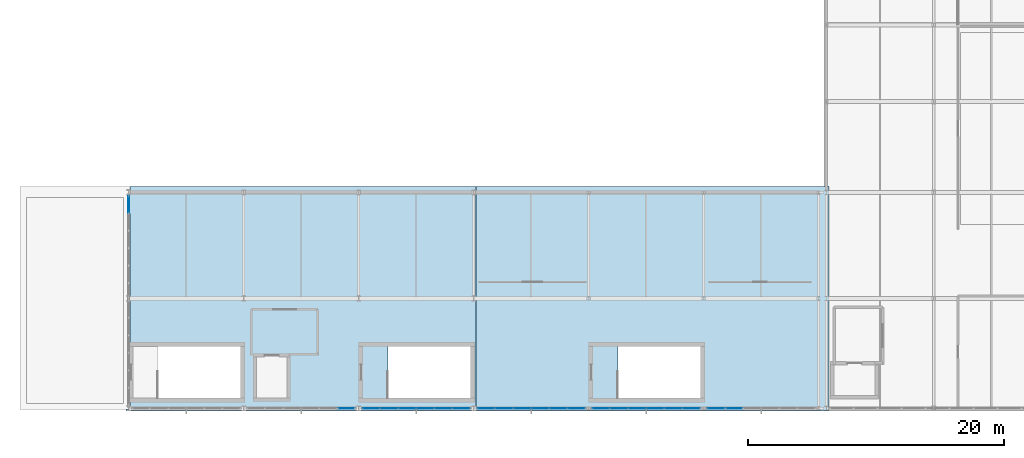
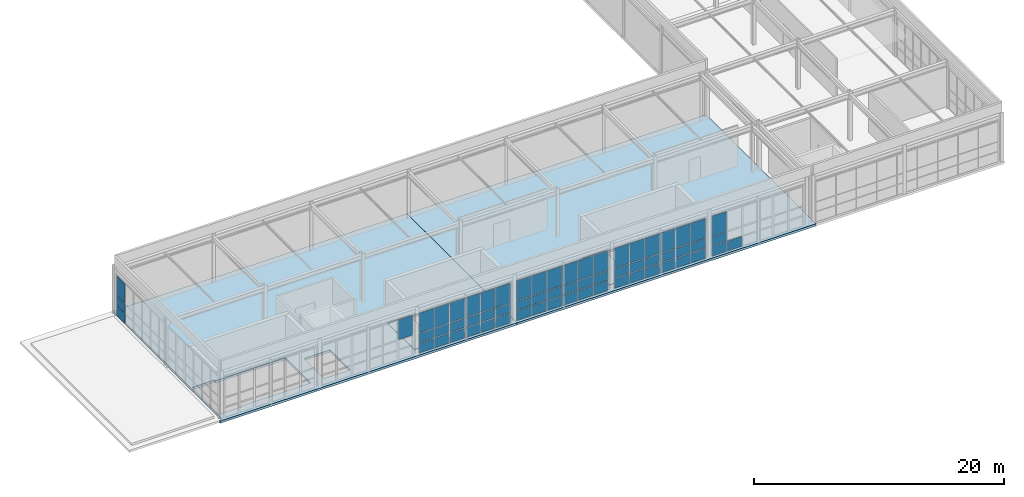
# One storey, part 30 of 38: 62 plates, 4 slabs, 6 elements without a shape of their own.
"""IFC4 building model written with IfcOpenShell, lengths in metres."""

from ifc_helpers import new_model, si_unit, direction, frame, origin, origin_2d, place, context, subcontext, project, spatial, polyline, rectangle, outline, extrude, material, layer, layer_set, type_object, element, aggregate, save


model = new_model("IFC4")

# Units and contexts
model_context = context("Model", 3, precision=1e-05, world=origin(), true_north=direction((0.0, 1.0)))
body_context = subcontext(model_context, "Body", "Model", "MODEL_VIEW")
ifc_project = project(units=[si_unit("LENGTHUNIT", "METRE"), si_unit("AREAUNIT", "SQUARE_METRE"), si_unit("VOLUMEUNIT", "CUBIC_METRE"), si_unit("PLANEANGLEUNIT", "RADIAN"), si_unit("MASSUNIT", "GRAM", prefix="KILO")], contexts=[model_context])

# Site, building, storey
site_placement = place(None, origin())
site = spatial("IfcSite", under=ifc_project, at=site_placement, CompositionType="ELEMENT")
building_placement = place(site_placement, origin())
building = spatial("IfcBuilding", under=site, at=building_placement, Name="Kaldris Quays Convention Centre", CompositionType="ELEMENT")
storey_placement = place(building_placement, frame((0.0, 0.0, 21.60009765625)))
storey = spatial("IfcBuildingStorey", under=building, at=storey_placement, Name="L04", CompositionType="ELEMENT", Elevation=21.60009765625)

# Curtain wall, plate
ifc_material_1 = material(Name="Anodized aluminium AW-6060 and triple glazing", Category="aluminium")
curtain_wall_type = type_object("IfcCurtainWallType", Name="UNITISED CURTAIN WALL CW04", PredefinedType="NOTDEFINED", material=ifc_material_1)
curtain_wall_1_placement = place(storey_placement, origin())
curtain_wall_1 = element("IfcCurtainWall", 1, at=curtain_wall_1_placement, inside=storey, type_object=curtain_wall_type, Name="L04 Unitised Curtain Wall CW04 130", PredefinedType="NOTDEFINED")
ifc_material_2 = material(Name="Triple low-E insulated glazing", Category="glass")
plate_type_1 = type_object("IfcPlateType", Name="CURTAIN GLAZING PANEL CWP2", PredefinedType="CURTAIN_PANEL", material=ifc_material_2)
plate_1_placement = place(storey_placement, frame((109.026611328125, 38.0, 2.02978515625), z_axis=(0.0, 0.0, 1.0), x_axis=(1.0, 0.0, 0.0)))
plate_1 = element("IfcPlate", 2, at=plate_1_placement, type_object=plate_type_1, Name="CW04 panel 6.3", PredefinedType="CURTAIN_PANEL", context=body_context, shape_type="SweptSolid", body=[
    extrude(rectangle(XDim=1.32666015625, YDim=0.033935546875, at=origin_2d()), origin(), (0.0, 0.0, 1.0), 1.909912109375),
])
aggregate(curtain_wall_1, [plate_1])

# Curtain wall, plates
curtain_wall_2_placement = place(storey_placement, origin())
curtain_wall_2 = element("IfcCurtainWall", 3, at=curtain_wall_2_placement, inside=storey, type_object=curtain_wall_type, Name="L04 Unitised Curtain Wall CW04 131", PredefinedType="NOTDEFINED")
plate_type_2 = type_object("IfcPlateType", Name="CURTAIN GLAZING PANEL CWP3", PredefinedType="CURTAIN_PANEL", material=ifc_material_2)
plate_2_placement = place(storey_placement, frame((110.973388671875, 38.0, 0.059814453125), z_axis=(0.0, 0.0, 1.0), x_axis=(1.0, 0.0, 0.0)))
plate_2 = element("IfcPlate", 4, at=plate_2_placement, type_object=plate_type_2, Name="CW04 panel 1.1", PredefinedType="CURTAIN_PANEL", context=body_context, shape_type="SweptSolid", body=[
    extrude(rectangle(XDim=1.32666015625, YDim=0.0390625, at=origin_2d()), origin(), (0.0, 0.0, 1.0), 0.9599609375),
])
plate_3_placement = place(storey_placement, frame((110.973388671875, 38.0, 1.080078125), z_axis=(0.0, 0.0, 1.0), x_axis=(1.0, 0.0, 0.0)))
plate_3 = element("IfcPlate", 5, at=plate_3_placement, type_object=plate_type_2, Name="CW04 panel 1.2", PredefinedType="CURTAIN_PANEL", context=body_context, shape_type="SweptSolid", body=[
    extrude(rectangle(XDim=1.32666015625, YDim=0.0390625, at=origin_2d()), origin(), (0.0, 0.0, 1.0), 0.889892578125),
])
plate_4_placement = place(storey_placement, frame((110.973388671875, 38.0, 2.02978515625), z_axis=(0.0, 0.0, 1.0), x_axis=(1.0, 0.0, 0.0)))
plate_4 = element("IfcPlate", 6, at=plate_4_placement, type_object=plate_type_2, Name="CW04 panel 1.3", PredefinedType="CURTAIN_PANEL", context=body_context, shape_type="SweptSolid", body=[
    extrude(rectangle(XDim=1.32666015625, YDim=0.0390625, at=origin_2d()), origin(), (0.0, 0.0, 1.0), 1.909912109375),
])
plate_5_placement = place(storey_placement, frame((112.375, 38.0, 0.059814453125), z_axis=(0.0, 0.0, 1.0), x_axis=(1.0, 0.0, 0.0)))
plate_5 = element("IfcPlate", 7, at=plate_5_placement, type_object=plate_type_2, Name="CW04 panel 2.1", PredefinedType="CURTAIN_PANEL", context=body_context, shape_type="SweptSolid", body=[
    extrude(rectangle(XDim=1.356689453125, YDim=0.0390625, at=origin_2d()), origin(), (0.0, 0.0, 1.0), 0.9599609375),
])
plate_6_placement = place(storey_placement, frame((112.375, 38.0, 1.080078125), z_axis=(0.0, 0.0, 1.0), x_axis=(1.0, 0.0, 0.0)))
plate_6 = element("IfcPlate", 8, at=plate_6_placement, type_object=plate_type_2, Name="CW04 panel 2.2", PredefinedType="CURTAIN_PANEL", context=body_context, shape_type="SweptSolid", body=[
    extrude(rectangle(XDim=1.356689453125, YDim=0.0390625, at=origin_2d()), origin(), (0.0, 0.0, 1.0), 0.889892578125),
])
plate_7_placement = place(storey_placement, frame((112.375, 38.0, 2.02978515625), z_axis=(0.0, 0.0, 1.0), x_axis=(1.0, 0.0, 0.0)))
plate_7 = element("IfcPlate", 9, at=plate_7_placement, type_object=plate_type_2, Name="CW04 panel 2.3", PredefinedType="CURTAIN_PANEL", context=body_context, shape_type="SweptSolid", body=[
    extrude(rectangle(XDim=1.356689453125, YDim=0.0390625, at=origin_2d()), origin(), (0.0, 0.0, 1.0), 1.909912109375),
])
plate_8_placement = place(storey_placement, frame((113.791748046875, 38.0, 0.059814453125), z_axis=(0.0, 0.0, 1.0), x_axis=(1.0, 0.0, 0.0)))
plate_8 = element("IfcPlate", 10, at=plate_8_placement, type_object=plate_type_2, Name="CW04 panel 3.1", PredefinedType="CURTAIN_PANEL", context=body_context, shape_type="SweptSolid", body=[
    extrude(rectangle(XDim=1.356689453125, YDim=0.0390625, at=origin_2d()), origin(), (0.0, 0.0, 1.0), 0.9599609375),
])
plate_9_placement = place(storey_placement, frame((113.791748046875, 38.0, 1.080078125), z_axis=(0.0, 0.0, 1.0), x_axis=(1.0, 0.0, 0.0)))
plate_9 = element("IfcPlate", 11, at=plate_9_placement, type_object=plate_type_2, Name="CW04 panel 3.2", PredefinedType="CURTAIN_PANEL", context=body_context, shape_type="SweptSolid", body=[
    extrude(rectangle(XDim=1.356689453125, YDim=0.0390625, at=origin_2d()), origin(), (0.0, 0.0, 1.0), 0.889892578125),
])
plate_10_placement = place(storey_placement, frame((113.791748046875, 38.0, 2.02978515625), z_axis=(0.0, 0.0, 1.0), x_axis=(1.0, 0.0, 0.0)))
plate_10 = element("IfcPlate", 12, at=plate_10_placement, type_object=plate_type_2, Name="CW04 panel 3.3", PredefinedType="CURTAIN_PANEL", context=body_context, shape_type="SweptSolid", body=[
    extrude(rectangle(XDim=1.356689453125, YDim=0.0390625, at=origin_2d()), origin(), (0.0, 0.0, 1.0), 1.909912109375),
])
plate_11_placement = place(storey_placement, frame((115.208251953125, 38.0, 0.059814453125), z_axis=(0.0, 0.0, 1.0), x_axis=(1.0, 0.0, 0.0)))
plate_11 = element("IfcPlate", 13, at=plate_11_placement, type_object=plate_type_2, Name="CW04 panel 4.1", PredefinedType="CURTAIN_PANEL", context=body_context, shape_type="SweptSolid", body=[
    extrude(rectangle(XDim=1.356689453125, YDim=0.0390625, at=origin_2d()), origin(), (0.0, 0.0, 1.0), 0.9599609375),
])
plate_12_placement = place(storey_placement, frame((115.208251953125, 38.0, 1.080078125), z_axis=(0.0, 0.0, 1.0), x_axis=(1.0, 0.0, 0.0)))
plate_12 = element("IfcPlate", 14, at=plate_12_placement, type_object=plate_type_2, Name="CW04 panel 4.2", PredefinedType="CURTAIN_PANEL", context=body_context, shape_type="SweptSolid", body=[
    extrude(rectangle(XDim=1.356689453125, YDim=0.0390625, at=origin_2d()), origin(), (0.0, 0.0, 1.0), 0.889892578125),
])
plate_13_placement = place(storey_placement, frame((115.208251953125, 38.0, 2.02978515625), z_axis=(0.0, 0.0, 1.0), x_axis=(1.0, 0.0, 0.0)))
plate_13 = element("IfcPlate", 15, at=plate_13_placement, type_object=plate_type_2, Name="CW04 panel 4.3", PredefinedType="CURTAIN_PANEL", context=body_context, shape_type="SweptSolid", body=[
    extrude(rectangle(XDim=1.356689453125, YDim=0.0390625, at=origin_2d()), origin(), (0.0, 0.0, 1.0), 1.909912109375),
])
plate_14_placement = place(storey_placement, frame((116.625, 38.0, 0.059814453125), z_axis=(0.0, 0.0, 1.0), x_axis=(1.0, 0.0, 0.0)))
plate_14 = element("IfcPlate", 16, at=plate_14_placement, type_object=plate_type_2, Name="CW04 panel 5.1", PredefinedType="CURTAIN_PANEL", context=body_context, shape_type="SweptSolid", body=[
    extrude(rectangle(XDim=1.356689453125, YDim=0.0390625, at=origin_2d()), origin(), (0.0, 0.0, 1.0), 0.9599609375),
])
plate_15_placement = place(storey_placement, frame((116.625, 38.0, 1.080078125), z_axis=(0.0, 0.0, 1.0), x_axis=(1.0, 0.0, 0.0)))
plate_15 = element("IfcPlate", 17, at=plate_15_placement, type_object=plate_type_2, Name="CW04 panel 5.2", PredefinedType="CURTAIN_PANEL", context=body_context, shape_type="SweptSolid", body=[
    extrude(rectangle(XDim=1.356689453125, YDim=0.0390625, at=origin_2d()), origin(), (0.0, 0.0, 1.0), 0.889892578125),
])
plate_16_placement = place(storey_placement, frame((116.625, 38.0, 2.02978515625), z_axis=(0.0, 0.0, 1.0), x_axis=(1.0, 0.0, 0.0)))
plate_16 = element("IfcPlate", 18, at=plate_16_placement, type_object=plate_type_2, Name="CW04 panel 5.3", PredefinedType="CURTAIN_PANEL", context=body_context, shape_type="SweptSolid", body=[
    extrude(rectangle(XDim=1.356689453125, YDim=0.0390625, at=origin_2d()), origin(), (0.0, 0.0, 1.0), 1.909912109375),
])
plate_17_placement = place(storey_placement, frame((118.026611328125, 38.0, 0.059814453125), z_axis=(0.0, 0.0, 1.0), x_axis=(1.0, 0.0, 0.0)))
plate_17 = element("IfcPlate", 19, at=plate_17_placement, type_object=plate_type_2, Name="CW04 panel 6.1", PredefinedType="CURTAIN_PANEL", context=body_context, shape_type="SweptSolid", body=[
    extrude(rectangle(XDim=1.32666015625, YDim=0.0390625, at=origin_2d()), origin(), (0.0, 0.0, 1.0), 0.9599609375),
])
plate_18_placement = place(storey_placement, frame((118.026611328125, 38.0, 1.080078125), z_axis=(0.0, 0.0, 1.0), x_axis=(1.0, 0.0, 0.0)))
plate_18 = element("IfcPlate", 20, at=plate_18_placement, type_object=plate_type_2, Name="CW04 panel 6.2", PredefinedType="CURTAIN_PANEL", context=body_context, shape_type="SweptSolid", body=[
    extrude(rectangle(XDim=1.32666015625, YDim=0.0390625, at=origin_2d()), origin(), (0.0, 0.0, 1.0), 0.889892578125),
])
plate_19_placement = place(storey_placement, frame((118.026611328125, 38.0, 2.02978515625), z_axis=(0.0, 0.0, 1.0), x_axis=(1.0, 0.0, 0.0)))
plate_19 = element("IfcPlate", 21, at=plate_19_placement, type_object=plate_type_2, Name="CW04 panel 6.3", PredefinedType="CURTAIN_PANEL", context=body_context, shape_type="SweptSolid", body=[
    extrude(rectangle(XDim=1.32666015625, YDim=0.0390625, at=origin_2d()), origin(), (0.0, 0.0, 1.0), 1.909912109375),
])
aggregate(curtain_wall_2, [plate_2, plate_3, plate_4, plate_5, plate_6, plate_7, plate_8, plate_9, plate_10, plate_11, plate_12, plate_13, plate_14, plate_15, plate_16, plate_17, plate_18, plate_19])

curtain_wall_3_placement = place(storey_placement, origin())
curtain_wall_3 = element("IfcCurtainWall", 22, at=curtain_wall_3_placement, inside=storey, type_object=curtain_wall_type, Name="L04 Unitised Curtain Wall CW04 132", PredefinedType="NOTDEFINED")
plate_type_3 = type_object("IfcPlateType", Name="CURTAIN GLAZING PANEL CWP4", PredefinedType="CURTAIN_PANEL", material=ifc_material_2)
plate_20_placement = place(storey_placement, frame((119.973388671875, 38.0, 0.059814453125), z_axis=(0.0, 0.0, 1.0), x_axis=(1.0, 0.0, 0.0)))
plate_20 = element("IfcPlate", 23, at=plate_20_placement, type_object=plate_type_3, Name="CW04 panel 1.1", PredefinedType="CURTAIN_PANEL", context=body_context, shape_type="SweptSolid", body=[
    extrude(rectangle(XDim=1.32666015625, YDim=0.0439453125, at=origin_2d()), origin(), (0.0, 0.0, 1.0), 0.9599609375),
])
plate_21_placement = place(storey_placement, frame((119.973388671875, 38.0, 1.080078125), z_axis=(0.0, 0.0, 1.0), x_axis=(1.0, 0.0, 0.0)))
plate_21 = element("IfcPlate", 24, at=plate_21_placement, type_object=plate_type_3, Name="CW04 panel 1.2", PredefinedType="CURTAIN_PANEL", context=body_context, shape_type="SweptSolid", body=[
    extrude(rectangle(XDim=1.32666015625, YDim=0.0439453125, at=origin_2d()), origin(), (0.0, 0.0, 1.0), 0.889892578125),
])
plate_22_placement = place(storey_placement, frame((119.973388671875, 38.0, 2.02978515625), z_axis=(0.0, 0.0, 1.0), x_axis=(1.0, 0.0, 0.0)))
plate_22 = element("IfcPlate", 25, at=plate_22_placement, type_object=plate_type_3, Name="CW04 panel 1.3", PredefinedType="CURTAIN_PANEL", context=body_context, shape_type="SweptSolid", body=[
    extrude(rectangle(XDim=1.32666015625, YDim=0.0439453125, at=origin_2d()), origin(), (0.0, 0.0, 1.0), 1.909912109375),
])
plate_23_placement = place(storey_placement, frame((121.375, 38.0, 0.059814453125), z_axis=(0.0, 0.0, 1.0), x_axis=(1.0, 0.0, 0.0)))
plate_23 = element("IfcPlate", 26, at=plate_23_placement, type_object=plate_type_3, Name="CW04 panel 2.1", PredefinedType="CURTAIN_PANEL", context=body_context, shape_type="SweptSolid", body=[
    extrude(rectangle(XDim=1.356689453125, YDim=0.0439453125, at=origin_2d()), origin(), (0.0, 0.0, 1.0), 0.9599609375),
])
plate_24_placement = place(storey_placement, frame((121.375, 38.0, 1.080078125), z_axis=(0.0, 0.0, 1.0), x_axis=(1.0, 0.0, 0.0)))
plate_24 = element("IfcPlate", 27, at=plate_24_placement, type_object=plate_type_3, Name="CW04 panel 2.2", PredefinedType="CURTAIN_PANEL", context=body_context, shape_type="SweptSolid", body=[
    extrude(rectangle(XDim=1.356689453125, YDim=0.0439453125, at=origin_2d()), origin(), (0.0, 0.0, 1.0), 0.889892578125),
])
plate_25_placement = place(storey_placement, frame((121.375, 38.0, 2.02978515625), z_axis=(0.0, 0.0, 1.0), x_axis=(1.0, 0.0, 0.0)))
plate_25 = element("IfcPlate", 28, at=plate_25_placement, type_object=plate_type_3, Name="CW04 panel 2.3", PredefinedType="CURTAIN_PANEL", context=body_context, shape_type="SweptSolid", body=[
    extrude(rectangle(XDim=1.356689453125, YDim=0.0439453125, at=origin_2d()), origin(), (0.0, 0.0, 1.0), 1.909912109375),
])
plate_26_placement = place(storey_placement, frame((122.791748046875, 38.0, 0.059814453125), z_axis=(0.0, 0.0, 1.0), x_axis=(1.0, 0.0, 0.0)))
plate_26 = element("IfcPlate", 29, at=plate_26_placement, type_object=plate_type_3, Name="CW04 panel 3.1", PredefinedType="CURTAIN_PANEL", context=body_context, shape_type="SweptSolid", body=[
    extrude(rectangle(XDim=1.356689453125, YDim=0.0439453125, at=origin_2d()), origin(), (0.0, 0.0, 1.0), 0.9599609375),
])
plate_27_placement = place(storey_placement, frame((122.791748046875, 38.0, 1.080078125), z_axis=(0.0, 0.0, 1.0), x_axis=(1.0, 0.0, 0.0)))
plate_27 = element("IfcPlate", 30, at=plate_27_placement, type_object=plate_type_3, Name="CW04 panel 3.2", PredefinedType="CURTAIN_PANEL", context=body_context, shape_type="SweptSolid", body=[
    extrude(rectangle(XDim=1.356689453125, YDim=0.0439453125, at=origin_2d()), origin(), (0.0, 0.0, 1.0), 0.889892578125),
])
plate_28_placement = place(storey_placement, frame((122.791748046875, 38.0, 2.02978515625), z_axis=(0.0, 0.0, 1.0), x_axis=(1.0, 0.0, 0.0)))
plate_28 = element("IfcPlate", 31, at=plate_28_placement, type_object=plate_type_3, Name="CW04 panel 3.3", PredefinedType="CURTAIN_PANEL", context=body_context, shape_type="SweptSolid", body=[
    extrude(rectangle(XDim=1.356689453125, YDim=0.0439453125, at=origin_2d()), origin(), (0.0, 0.0, 1.0), 1.909912109375),
])
plate_29_placement = place(storey_placement, frame((124.208251953125, 38.0, 0.059814453125), z_axis=(0.0, 0.0, 1.0), x_axis=(1.0, 0.0, 0.0)))
plate_29 = element("IfcPlate", 32, at=plate_29_placement, type_object=plate_type_3, Name="CW04 panel 4.1", PredefinedType="CURTAIN_PANEL", context=body_context, shape_type="SweptSolid", body=[
    extrude(rectangle(XDim=1.356689453125, YDim=0.0439453125, at=origin_2d()), origin(), (0.0, 0.0, 1.0), 0.9599609375),
])
plate_30_placement = place(storey_placement, frame((124.208251953125, 38.0, 1.080078125), z_axis=(0.0, 0.0, 1.0), x_axis=(1.0, 0.0, 0.0)))
plate_30 = element("IfcPlate", 33, at=plate_30_placement, type_object=plate_type_3, Name="CW04 panel 4.2", PredefinedType="CURTAIN_PANEL", context=body_context, shape_type="SweptSolid", body=[
    extrude(rectangle(XDim=1.356689453125, YDim=0.0439453125, at=origin_2d()), origin(), (0.0, 0.0, 1.0), 0.889892578125),
])
plate_31_placement = place(storey_placement, frame((124.208251953125, 38.0, 2.02978515625), z_axis=(0.0, 0.0, 1.0), x_axis=(1.0, 0.0, 0.0)))
plate_31 = element("IfcPlate", 34, at=plate_31_placement, type_object=plate_type_3, Name="CW04 panel 4.3", PredefinedType="CURTAIN_PANEL", context=body_context, shape_type="SweptSolid", body=[
    extrude(rectangle(XDim=1.356689453125, YDim=0.0439453125, at=origin_2d()), origin(), (0.0, 0.0, 1.0), 1.909912109375),
])
plate_32_placement = place(storey_placement, frame((125.625, 38.0, 0.059814453125), z_axis=(0.0, 0.0, 1.0), x_axis=(1.0, 0.0, 0.0)))
plate_32 = element("IfcPlate", 35, at=plate_32_placement, type_object=plate_type_3, Name="CW04 panel 5.1", PredefinedType="CURTAIN_PANEL", context=body_context, shape_type="SweptSolid", body=[
    extrude(rectangle(XDim=1.356689453125, YDim=0.0439453125, at=origin_2d()), origin(), (0.0, 0.0, 1.0), 0.9599609375),
])
plate_33_placement = place(storey_placement, frame((125.625, 38.0, 1.080078125), z_axis=(0.0, 0.0, 1.0), x_axis=(1.0, 0.0, 0.0)))
plate_33 = element("IfcPlate", 36, at=plate_33_placement, type_object=plate_type_3, Name="CW04 panel 5.2", PredefinedType="CURTAIN_PANEL", context=body_context, shape_type="SweptSolid", body=[
    extrude(rectangle(XDim=1.356689453125, YDim=0.0439453125, at=origin_2d()), origin(), (0.0, 0.0, 1.0), 0.889892578125),
])
plate_34_placement = place(storey_placement, frame((125.625, 38.0, 2.02978515625), z_axis=(0.0, 0.0, 1.0), x_axis=(1.0, 0.0, 0.0)))
plate_34 = element("IfcPlate", 37, at=plate_34_placement, type_object=plate_type_3, Name="CW04 panel 5.3", PredefinedType="CURTAIN_PANEL", context=body_context, shape_type="SweptSolid", body=[
    extrude(rectangle(XDim=1.356689453125, YDim=0.0439453125, at=origin_2d()), origin(), (0.0, 0.0, 1.0), 1.909912109375),
])
plate_35_placement = place(storey_placement, frame((127.026611328125, 38.0, 0.059814453125), z_axis=(0.0, 0.0, 1.0), x_axis=(1.0, 0.0, 0.0)))
plate_35 = element("IfcPlate", 38, at=plate_35_placement, type_object=plate_type_3, Name="CW04 panel 6.1", PredefinedType="CURTAIN_PANEL", context=body_context, shape_type="SweptSolid", body=[
    extrude(rectangle(XDim=1.32666015625, YDim=0.0439453125, at=origin_2d()), origin(), (0.0, 0.0, 1.0), 0.9599609375),
])
plate_36_placement = place(storey_placement, frame((127.026611328125, 38.0, 1.080078125), z_axis=(0.0, 0.0, 1.0), x_axis=(1.0, 0.0, 0.0)))
plate_36 = element("IfcPlate", 39, at=plate_36_placement, type_object=plate_type_3, Name="CW04 panel 6.2", PredefinedType="CURTAIN_PANEL", context=body_context, shape_type="SweptSolid", body=[
    extrude(rectangle(XDim=1.32666015625, YDim=0.0439453125, at=origin_2d()), origin(), (0.0, 0.0, 1.0), 0.889892578125),
])
plate_37_placement = place(storey_placement, frame((127.026611328125, 38.0, 2.02978515625), z_axis=(0.0, 0.0, 1.0), x_axis=(1.0, 0.0, 0.0)))
plate_37 = element("IfcPlate", 40, at=plate_37_placement, type_object=plate_type_3, Name="CW04 panel 6.3", PredefinedType="CURTAIN_PANEL", context=body_context, shape_type="SweptSolid", body=[
    extrude(rectangle(XDim=1.32666015625, YDim=0.0439453125, at=origin_2d()), origin(), (0.0, 0.0, 1.0), 1.909912109375),
])
aggregate(curtain_wall_3, [plate_20, plate_21, plate_22, plate_23, plate_24, plate_25, plate_26, plate_27, plate_28, plate_29, plate_30, plate_31, plate_32, plate_33, plate_34, plate_35, plate_36, plate_37])

curtain_wall_4_placement = place(storey_placement, origin())
curtain_wall_4 = element("IfcCurtainWall", 41, at=curtain_wall_4_placement, inside=storey, type_object=curtain_wall_type, Name="L04 Unitised Curtain Wall CW04 133", PredefinedType="NOTDEFINED")
plate_type_4 = type_object("IfcPlateType", Name="CURTAIN GLAZING PANEL CWP5", PredefinedType="CURTAIN_PANEL", material=ifc_material_2)
plate_38_placement = place(storey_placement, frame((128.973388671875, 38.0, 0.059814453125), z_axis=(0.0, 0.0, 1.0), x_axis=(1.0, 0.0, 0.0)))
plate_38 = element("IfcPlate", 42, at=plate_38_placement, type_object=plate_type_4, Name="CW04 panel 1.1", PredefinedType="CURTAIN_PANEL", context=body_context, shape_type="SweptSolid", body=[
    extrude(rectangle(XDim=1.32666015625, YDim=0.049072265625, at=origin_2d()), origin(), (0.0, 0.0, 1.0), 0.9599609375),
])
plate_39_placement = place(storey_placement, frame((128.973388671875, 38.0, 1.080078125), z_axis=(0.0, 0.0, 1.0), x_axis=(1.0, 0.0, 0.0)))
plate_39 = element("IfcPlate", 43, at=plate_39_placement, type_object=plate_type_4, Name="CW04 panel 1.2", PredefinedType="CURTAIN_PANEL", context=body_context, shape_type="SweptSolid", body=[
    extrude(rectangle(XDim=1.32666015625, YDim=0.049072265625, at=origin_2d()), origin(), (0.0, 0.0, 1.0), 0.889892578125),
])
plate_40_placement = place(storey_placement, frame((128.973388671875, 38.0, 2.02978515625), z_axis=(0.0, 0.0, 1.0), x_axis=(1.0, 0.0, 0.0)))
plate_40 = element("IfcPlate", 44, at=plate_40_placement, type_object=plate_type_4, Name="CW04 panel 1.3", PredefinedType="CURTAIN_PANEL", context=body_context, shape_type="SweptSolid", body=[
    extrude(rectangle(XDim=1.32666015625, YDim=0.049072265625, at=origin_2d()), origin(), (0.0, 0.0, 1.0), 1.909912109375),
])
plate_41_placement = place(storey_placement, frame((130.375, 38.0, 0.059814453125), z_axis=(0.0, 0.0, 1.0), x_axis=(1.0, 0.0, 0.0)))
plate_41 = element("IfcPlate", 45, at=plate_41_placement, type_object=plate_type_4, Name="CW04 panel 2.1", PredefinedType="CURTAIN_PANEL", context=body_context, shape_type="SweptSolid", body=[
    extrude(rectangle(XDim=1.356689453125, YDim=0.049072265625, at=origin_2d()), origin(), (0.0, 0.0, 1.0), 0.9599609375),
])
plate_42_placement = place(storey_placement, frame((130.375, 38.0, 1.080078125), z_axis=(0.0, 0.0, 1.0), x_axis=(1.0, 0.0, 0.0)))
plate_42 = element("IfcPlate", 46, at=plate_42_placement, type_object=plate_type_4, Name="CW04 panel 2.2", PredefinedType="CURTAIN_PANEL", context=body_context, shape_type="SweptSolid", body=[
    extrude(rectangle(XDim=1.356689453125, YDim=0.049072265625, at=origin_2d()), origin(), (0.0, 0.0, 1.0), 0.889892578125),
])
plate_43_placement = place(storey_placement, frame((130.375, 38.0, 2.02978515625), z_axis=(0.0, 0.0, 1.0), x_axis=(1.0, 0.0, 0.0)))
plate_43 = element("IfcPlate", 47, at=plate_43_placement, type_object=plate_type_4, Name="CW04 panel 2.3", PredefinedType="CURTAIN_PANEL", context=body_context, shape_type="SweptSolid", body=[
    extrude(rectangle(XDim=1.356689453125, YDim=0.049072265625, at=origin_2d()), origin(), (0.0, 0.0, 1.0), 1.909912109375),
])
plate_44_placement = place(storey_placement, frame((131.791748046875, 38.0, 0.059814453125), z_axis=(0.0, 0.0, 1.0), x_axis=(1.0, 0.0, 0.0)))
plate_44 = element("IfcPlate", 48, at=plate_44_placement, type_object=plate_type_4, Name="CW04 panel 3.1", PredefinedType="CURTAIN_PANEL", context=body_context, shape_type="SweptSolid", body=[
    extrude(rectangle(XDim=1.356689453125, YDim=0.049072265625, at=origin_2d()), origin(), (0.0, 0.0, 1.0), 0.9599609375),
])
plate_45_placement = place(storey_placement, frame((131.791748046875, 38.0, 1.080078125), z_axis=(0.0, 0.0, 1.0), x_axis=(1.0, 0.0, 0.0)))
plate_45 = element("IfcPlate", 49, at=plate_45_placement, type_object=plate_type_4, Name="CW04 panel 3.2", PredefinedType="CURTAIN_PANEL", context=body_context, shape_type="SweptSolid", body=[
    extrude(rectangle(XDim=1.356689453125, YDim=0.049072265625, at=origin_2d()), origin(), (0.0, 0.0, 1.0), 0.889892578125),
])
plate_46_placement = place(storey_placement, frame((131.791748046875, 38.0, 2.02978515625), z_axis=(0.0, 0.0, 1.0), x_axis=(1.0, 0.0, 0.0)))
plate_46 = element("IfcPlate", 50, at=plate_46_placement, type_object=plate_type_4, Name="CW04 panel 3.3", PredefinedType="CURTAIN_PANEL", context=body_context, shape_type="SweptSolid", body=[
    extrude(rectangle(XDim=1.356689453125, YDim=0.049072265625, at=origin_2d()), origin(), (0.0, 0.0, 1.0), 1.909912109375),
])
plate_47_placement = place(storey_placement, frame((133.208251953125, 38.0, 0.059814453125), z_axis=(0.0, 0.0, 1.0), x_axis=(1.0, 0.0, 0.0)))
plate_47 = element("IfcPlate", 51, at=plate_47_placement, type_object=plate_type_4, Name="CW04 panel 4.1", PredefinedType="CURTAIN_PANEL", context=body_context, shape_type="SweptSolid", body=[
    extrude(rectangle(XDim=1.356689453125, YDim=0.049072265625, at=origin_2d()), origin(), (0.0, 0.0, 1.0), 0.9599609375),
])
plate_48_placement = place(storey_placement, frame((133.208251953125, 38.0, 1.080078125), z_axis=(0.0, 0.0, 1.0), x_axis=(1.0, 0.0, 0.0)))
plate_48 = element("IfcPlate", 52, at=plate_48_placement, type_object=plate_type_4, Name="CW04 panel 4.2", PredefinedType="CURTAIN_PANEL", context=body_context, shape_type="SweptSolid", body=[
    extrude(rectangle(XDim=1.356689453125, YDim=0.049072265625, at=origin_2d()), origin(), (0.0, 0.0, 1.0), 0.889892578125),
])
plate_49_placement = place(storey_placement, frame((133.208251953125, 38.0, 2.02978515625), z_axis=(0.0, 0.0, 1.0), x_axis=(1.0, 0.0, 0.0)))
plate_49 = element("IfcPlate", 53, at=plate_49_placement, type_object=plate_type_4, Name="CW04 panel 4.3", PredefinedType="CURTAIN_PANEL", context=body_context, shape_type="SweptSolid", body=[
    extrude(rectangle(XDim=1.356689453125, YDim=0.049072265625, at=origin_2d()), origin(), (0.0, 0.0, 1.0), 1.909912109375),
])
plate_50_placement = place(storey_placement, frame((134.625, 38.0, 0.059814453125), z_axis=(0.0, 0.0, 1.0), x_axis=(1.0, 0.0, 0.0)))
plate_50 = element("IfcPlate", 54, at=plate_50_placement, type_object=plate_type_4, Name="CW04 panel 5.1", PredefinedType="CURTAIN_PANEL", context=body_context, shape_type="SweptSolid", body=[
    extrude(rectangle(XDim=1.356689453125, YDim=0.049072265625, at=origin_2d()), origin(), (0.0, 0.0, 1.0), 0.9599609375),
])
plate_51_placement = place(storey_placement, frame((134.625, 38.0, 1.080078125), z_axis=(0.0, 0.0, 1.0), x_axis=(1.0, 0.0, 0.0)))
plate_51 = element("IfcPlate", 55, at=plate_51_placement, type_object=plate_type_4, Name="CW04 panel 5.2", PredefinedType="CURTAIN_PANEL", context=body_context, shape_type="SweptSolid", body=[
    extrude(rectangle(XDim=1.356689453125, YDim=0.049072265625, at=origin_2d()), origin(), (0.0, 0.0, 1.0), 0.889892578125),
])
plate_52_placement = place(storey_placement, frame((134.625, 38.0, 2.02978515625), z_axis=(0.0, 0.0, 1.0), x_axis=(1.0, 0.0, 0.0)))
plate_52 = element("IfcPlate", 56, at=plate_52_placement, type_object=plate_type_4, Name="CW04 panel 5.3", PredefinedType="CURTAIN_PANEL", context=body_context, shape_type="SweptSolid", body=[
    extrude(rectangle(XDim=1.356689453125, YDim=0.049072265625, at=origin_2d()), origin(), (0.0, 0.0, 1.0), 1.909912109375),
])
plate_53_placement = place(storey_placement, frame((136.026611328125, 38.0, 0.059814453125), z_axis=(0.0, 0.0, 1.0), x_axis=(1.0, 0.0, 0.0)))
plate_53 = element("IfcPlate", 57, at=plate_53_placement, type_object=plate_type_4, Name="CW04 panel 6.1", PredefinedType="CURTAIN_PANEL", context=body_context, shape_type="SweptSolid", body=[
    extrude(rectangle(XDim=1.32666015625, YDim=0.049072265625, at=origin_2d()), origin(), (0.0, 0.0, 1.0), 0.9599609375),
])
plate_54_placement = place(storey_placement, frame((136.026611328125, 38.0, 1.080078125), z_axis=(0.0, 0.0, 1.0), x_axis=(1.0, 0.0, 0.0)))
plate_54 = element("IfcPlate", 58, at=plate_54_placement, type_object=plate_type_4, Name="CW04 panel 6.2", PredefinedType="CURTAIN_PANEL", context=body_context, shape_type="SweptSolid", body=[
    extrude(rectangle(XDim=1.32666015625, YDim=0.049072265625, at=origin_2d()), origin(), (0.0, 0.0, 1.0), 0.889892578125),
])
plate_55_placement = place(storey_placement, frame((136.026611328125, 38.0, 2.02978515625), z_axis=(0.0, 0.0, 1.0), x_axis=(1.0, 0.0, 0.0)))
plate_55 = element("IfcPlate", 59, at=plate_55_placement, type_object=plate_type_4, Name="CW04 panel 6.3", PredefinedType="CURTAIN_PANEL", context=body_context, shape_type="SweptSolid", body=[
    extrude(rectangle(XDim=1.32666015625, YDim=0.049072265625, at=origin_2d()), origin(), (0.0, 0.0, 1.0), 1.909912109375),
])
aggregate(curtain_wall_4, [plate_38, plate_39, plate_40, plate_41, plate_42, plate_43, plate_44, plate_45, plate_46, plate_47, plate_48, plate_49, plate_50, plate_51, plate_52, plate_53, plate_54, plate_55])

curtain_wall_5_placement = place(storey_placement, origin())
curtain_wall_5 = element("IfcCurtainWall", 60, at=curtain_wall_5_placement, inside=storey, type_object=curtain_wall_type, Name="L04 Unitised Curtain Wall CW04 134", PredefinedType="NOTDEFINED")
plate_type_5 = type_object("IfcPlateType", Name="CURTAIN GLAZING PANEL CWP6", PredefinedType="CURTAIN_PANEL", material=ifc_material_2)
plate_56_placement = place(storey_placement, frame((137.973388671875, 38.0, 0.059814453125), z_axis=(0.0, 0.0, 1.0), x_axis=(1.0, 0.0, 0.0)))
plate_56 = element("IfcPlate", 61, at=plate_56_placement, type_object=plate_type_5, Name="CW04 panel 1.1", PredefinedType="CURTAIN_PANEL", context=body_context, shape_type="SweptSolid", body=[
    extrude(rectangle(XDim=1.32666015625, YDim=0.053955078125, at=origin_2d()), origin(), (0.0, 0.0, 1.0), 0.9599609375),
])
plate_57_placement = place(storey_placement, frame((137.973388671875, 38.0, 1.080078125), z_axis=(0.0, 0.0, 1.0), x_axis=(1.0, 0.0, 0.0)))
plate_57 = element("IfcPlate", 62, at=plate_57_placement, type_object=plate_type_5, Name="CW04 panel 1.2", PredefinedType="CURTAIN_PANEL", context=body_context, shape_type="SweptSolid", body=[
    extrude(rectangle(XDim=1.32666015625, YDim=0.053955078125, at=origin_2d()), origin(), (0.0, 0.0, 1.0), 0.889892578125),
])
plate_58_placement = place(storey_placement, frame((137.973388671875, 38.0, 2.02978515625), z_axis=(0.0, 0.0, 1.0), x_axis=(1.0, 0.0, 0.0)))
plate_58 = element("IfcPlate", 63, at=plate_58_placement, type_object=plate_type_5, Name="CW04 panel 1.3", PredefinedType="CURTAIN_PANEL", context=body_context, shape_type="SweptSolid", body=[
    extrude(rectangle(XDim=1.32666015625, YDim=0.053955078125, at=origin_2d()), origin(), (0.0, 0.0, 1.0), 1.909912109375),
])
plate_59_placement = place(storey_placement, frame((139.375, 38.0, 0.059814453125), z_axis=(0.0, 0.0, 1.0), x_axis=(1.0, 0.0, 0.0)))
plate_59 = element("IfcPlate", 64, at=plate_59_placement, type_object=plate_type_5, Name="CW04 panel 2.1", PredefinedType="CURTAIN_PANEL", context=body_context, shape_type="SweptSolid", body=[
    extrude(rectangle(XDim=1.356689453125, YDim=0.053955078125, at=origin_2d()), origin(), (0.0, 0.0, 1.0), 0.9599609375),
])
aggregate(curtain_wall_5, [plate_56, plate_57, plate_58, plate_59])

curtain_wall_6_placement = place(storey_placement, origin())
curtain_wall_6 = element("IfcCurtainWall", 65, at=curtain_wall_6_placement, inside=storey, type_object=curtain_wall_type, Name="L04 Unitised Curtain Wall CW04 135", PredefinedType="NOTDEFINED")
plate_type_6 = type_object("IfcPlateType", Name="CURTAIN GLAZING PANEL CWP7", PredefinedType="CURTAIN_PANEL", material=ifc_material_2)
plate_60_placement = place(storey_placement, frame((92.0, 53.95166015625, 0.059814453125), z_axis=(0.0, 0.0, 1.0), x_axis=(0.0, 1.0, 0.0)))
plate_60 = element("IfcPlate", 66, at=plate_60_placement, type_object=plate_type_6, Name="CW04 panel 12.1", PredefinedType="CURTAIN_PANEL", context=body_context, shape_type="SweptSolid", body=[
    extrude(rectangle(XDim=1.276611328125, YDim=0.05908203125, at=origin_2d()), origin(), (0.0, 0.0, 1.0), 0.9599609375),
])
plate_61_placement = place(storey_placement, frame((92.0, 53.95166015625, 1.080078125), z_axis=(0.0, 0.0, 1.0), x_axis=(0.0, 1.0, 0.0)))
plate_61 = element("IfcPlate", 67, at=plate_61_placement, type_object=plate_type_6, Name="CW04 panel 12.2", PredefinedType="CURTAIN_PANEL", context=body_context, shape_type="SweptSolid", body=[
    extrude(rectangle(XDim=1.276611328125, YDim=0.05908203125, at=origin_2d()), origin(), (0.0, 0.0, 1.0), 0.889892578125),
])
plate_62_placement = place(storey_placement, frame((92.0, 53.95166015625, 2.02978515625), z_axis=(0.0, 0.0, 1.0), x_axis=(0.0, 1.0, 0.0)))
plate_62 = element("IfcPlate", 68, at=plate_62_placement, type_object=plate_type_6, Name="CW04 panel 12.3", PredefinedType="CURTAIN_PANEL", context=body_context, shape_type="SweptSolid", body=[
    extrude(rectangle(XDim=1.276611328125, YDim=0.05908203125, at=origin_2d()), origin(), (0.0, 0.0, 1.0), 1.909912109375),
])
aggregate(curtain_wall_6, [plate_60, plate_61, plate_62])

# Slabs
ifc_material_3 = material(Name="Concrete C35/45", Category="concrete")
ifc_layer_1 = layer(ifc_material_3, 0.27490234375)
ifc_layer_set_1 = layer_set([ifc_layer_1], Name="Concrete C35/45")
slab_type_1 = type_object("IfcSlabType", Name="STRUCTURAL SLAB FS05", PredefinedType="FLOOR", material=ifc_layer_set_1)
slab_1_placement = place(storey_placement, frame((0.0, 0.0, -0.275146484375)))
element("IfcSlab", 69, at=slab_1_placement, inside=storey, type_object=slab_type_1, Name="L04 ST12 Core Floor Landing Slab", PredefinedType="FLOOR", context=body_context, shape_type="SweptSolid", body=[
    extrude(outline(polyline([(128.22998046875, 38.679931640625), (130.300048828125, 38.679931640625), (130.300048828125, 42.969970703125), (128.22998046875, 42.969970703125), (128.22998046875, 38.679931640625)])), origin(), (0.0, 0.0, 1.0), 0.275146484375),
])
slab_2_placement = place(storey_placement, frame((0.0, 0.0, -0.275146484375)))
element("IfcSlab", 70, at=slab_2_placement, inside=storey, type_object=slab_type_1, Name="L04 ST13 Core Floor Landing Slab", PredefinedType="FLOOR", context=body_context, shape_type="SweptSolid", body=[
    extrude(outline(polyline([(110.22998046875, 38.679931640625), (112.300048828125, 38.679931640625), (112.300048828125, 42.969970703125), (110.22998046875, 42.969970703125), (110.22998046875, 38.679931640625)])), origin(), (0.0, 0.0, 1.0), 0.275146484375),
])
ifc_layer_2 = layer(ifc_material_3, 0.218017578125)
ifc_layer_set_2 = layer_set([ifc_layer_2], Name="Concrete C35/45")
slab_type_2 = type_object("IfcSlabType", Name="STRUCTURAL SLAB FS08", PredefinedType="FLOOR", material=ifc_layer_set_2)
slab_3_placement = place(storey_placement, frame((0.0, 0.0, -0.218017578125)))
element("IfcSlab", 71, at=slab_3_placement, inside=storey, type_object=slab_type_2, Name="L04 V4 L04 Boardroom 1 SLAB-L04-V4S-1", PredefinedType="FLOOR", context=body_context, shape_type="SweptSolid", body=[
    extrude(outline(polyline([(119.199951171875, 55.375), (119.199951171875, 37.800048828125), (91.800048828125, 37.800048828125), (91.800048828125, 37.89794921875), (92.10205078125, 37.89990234375), (92.10205078125, 55.375), (119.199951171875, 55.375)]), holes=[polyline([(102.0, 42.0), (102.0, 38.800048828125), (104.39990234375, 38.800048828125), (104.39990234375, 42.0), (102.0, 42.0)]), polyline([(94.300537109375, 42.971923828125), (92.228271484375, 42.970947265625), (92.22900390625, 38.67822265625), (94.30029296875, 38.677978515625), (94.302001953125, 38.800048828125), (100.75, 38.800048828125), (100.75, 42.85009765625), (94.302001953125, 42.85009765625), (94.300537109375, 42.971923828125)]), polyline([(110.2294921875, 38.677978515625), (112.30029296875, 38.677978515625), (112.302001953125, 38.800048828125), (118.75, 38.800048828125), (118.75, 42.85009765625), (112.302001953125, 42.85009765625), (112.30029296875, 42.971923828125), (110.22900390625, 42.9716796875), (110.2294921875, 38.677978515625)])]), origin(), (0.0, 0.0, 1.0), 0.218017578125),
])
slab_4_placement = place(storey_placement, frame((0.0, 0.0, -0.218017578125)))
element("IfcSlab", 72, at=slab_4_placement, inside=storey, type_object=slab_type_2, Name="L04 V4 L04 Boardroom 2 SLAB-L04-V4S-2", PredefinedType="FLOOR", context=body_context, shape_type="SweptSolid", body=[
    extrude(outline(polyline([(146.800048828125, 55.375), (146.800048828125, 37.800048828125), (119.201904296875, 37.800048828125), (119.201904296875, 55.375), (146.800048828125, 55.375)]), holes=[polyline([(128.2294921875, 38.677978515625), (130.30029296875, 38.677978515625), (130.302001953125, 38.800048828125), (136.75, 38.800048828125), (136.75, 42.85009765625), (130.302001953125, 42.85009765625), (130.30029296875, 42.971923828125), (128.22900390625, 42.9716796875), (128.2294921875, 38.677978515625)])]), origin(), (0.0, 0.0, 1.0), 0.218017578125),
])

save(model, "model.ifc")
